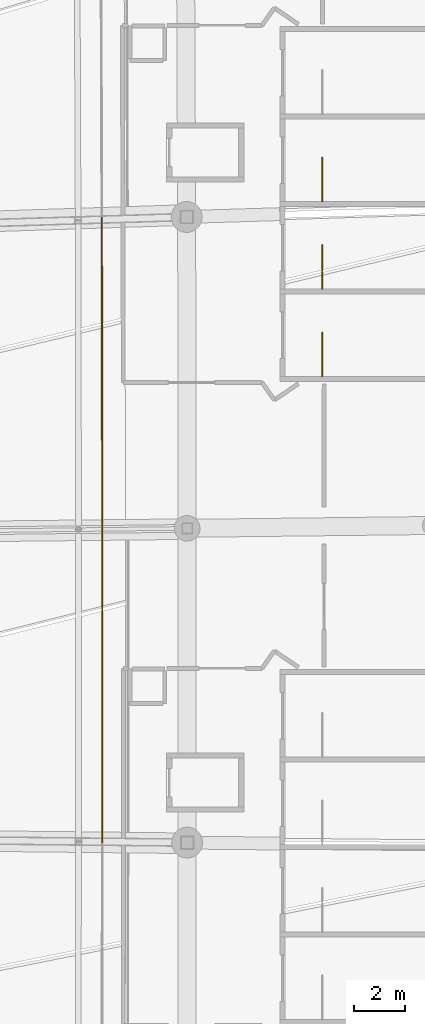
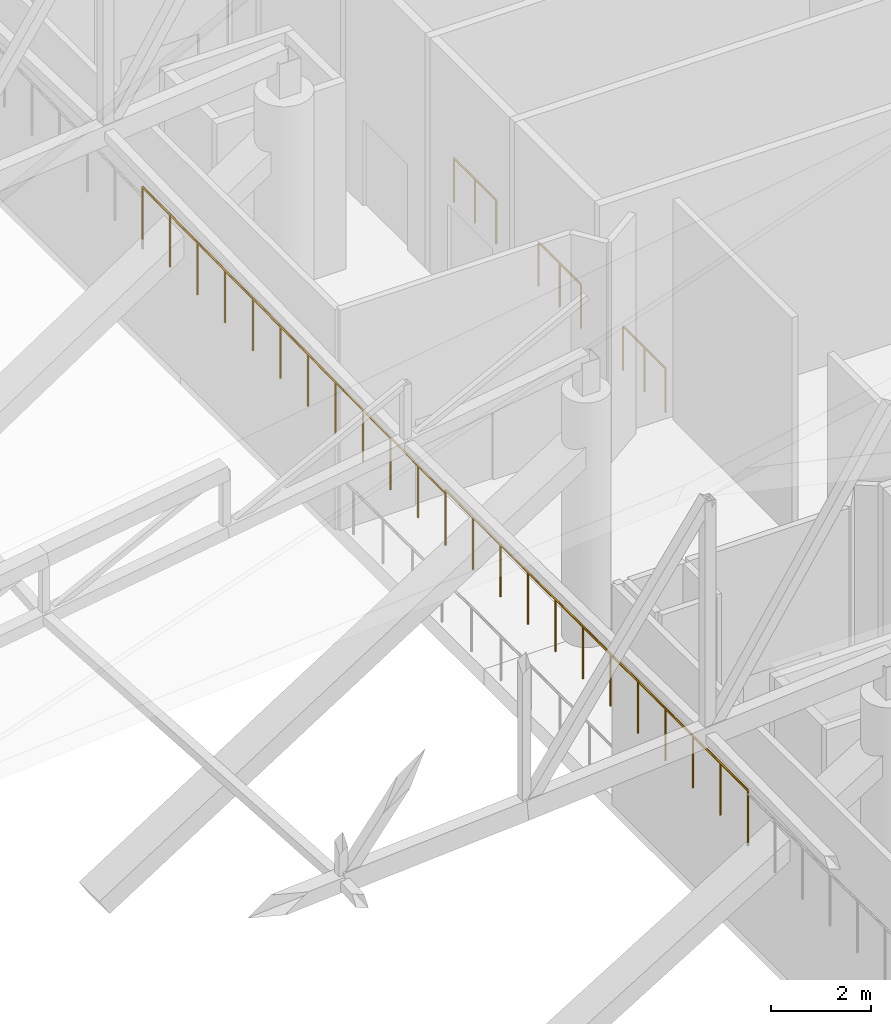
# One storey, part 342 of 344: 5 railings.
"""IFC4 building model written with IfcOpenShell, lengths in metres."""

from ifc_helpers import new_model, si_unit, direction, frame, origin, origin_2d, place, context, subcontext, project, spatial, circle, extrude, material, type_object, element, save


model = new_model("IFC4")

# Units and contexts
model_context = context("Model", 3, precision=1e-05, world=origin(), true_north=direction((0.0, 1.0)))
body_context = subcontext(model_context, "Body", "Model", "MODEL_VIEW")
ifc_project = project(units=[si_unit("LENGTHUNIT", "METRE"), si_unit("AREAUNIT", "SQUARE_METRE"), si_unit("VOLUMEUNIT", "CUBIC_METRE"), si_unit("PLANEANGLEUNIT", "RADIAN"), si_unit("MASSUNIT", "GRAM", prefix="KILO")], contexts=[model_context])

# Site, building, storey
site_placement = place(None, origin())
site = spatial("IfcSite", under=ifc_project, at=site_placement, CompositionType="ELEMENT")
building_placement = place(site_placement, origin())
building = spatial("IfcBuilding", under=site, at=building_placement, Name="Meseta Stadium", CompositionType="ELEMENT")
storey_placement = place(building_placement, frame((0.0, 0.0, 24.0)))
storey = spatial("IfcBuildingStorey", under=building, at=storey_placement, Name="L04", CompositionType="ELEMENT", Elevation=24.0)

# Railings
ifc_material_1 = material(Name="Steel S355", Category="steel")
railing_type_1 = type_object("IfcRailingType", Name="Stair guard 1100", PredefinedType="GUARDRAIL", material=ifc_material_1)
for number, where, name in (
    (1, (90.25, 12.050048828125, 0.0), "ST13 L04 well guard 1"),
    (2, (90.25, 15.449951171875, 0.0), "ST14 L04 well guard 1"),
    (3, (90.25, 18.85009765625, 0.0), "ST15 L04 well guard 1"),
):
    element("IfcRailing", number, at=place(storey_placement, frame(where)), inside=storey, type_object=railing_type_1, Name=name, PredefinedType="GUARDRAIL", context=body_context, shape_type="SweptSolid", body=[
        extrude(circle(Radius=0.02392578125, at=origin_2d()), frame((0.0, 0.0, 1.076171875), z_axis=(0.0, 1.0, 0.0), x_axis=(-1.0, 0.0, 0.0)), (0.0, 0.0, 1.0), 1.699951171875),
        extrude(circle(Radius=0.02099609375, at=origin_2d()), origin(), (0.0, 0.0, 1.0), 1.052001953125),
        extrude(circle(Radius=0.02099609375, at=origin_2d()), frame((0.0, 0.85009765625, 0.0)), (0.0, 0.0, 1.0), 1.052001953125),
        extrude(circle(Radius=0.02099609375, at=origin_2d()), frame((0.0, 1.699951171875, 0.0)), (0.0, 0.0, 1.0), 1.052001953125),
    ])
ifc_material_2 = material(Name="Steel S355", Category="steel")
railing_type_2 = type_object("IfcRailingType", Name="Stand rear guard 1300", PredefinedType="GUARDRAIL", material=ifc_material_2)
railing_1_placement = place(storey_placement, frame((81.697509765625, -6.0712890625, 3.4365234375)))
element("IfcRailing", 4, at=railing_1_placement, inside=storey, type_object=railing_type_2, Name="Stand upper tier rear guard bay 05", PredefinedType="GUARDRAIL", context=body_context, shape_type="SweptSolid", body=[
    extrude(circle(Radius=0.02490234375, at=origin_2d()), frame((0.0, 0.0, 1.27490234375), z_axis=(0.0, 1.0, 0.0), x_axis=(-1.0, 0.0, 0.0)), (0.0, 0.0, 1.0), 12.142578125),
    extrude(circle(Radius=0.02001953125, at=origin_2d()), origin(), (0.0, 0.0, 1.0), 1.25),
    extrude(circle(Radius=0.02001953125, at=origin_2d()), frame((0.0, 1.103759765625, 0.0)), (0.0, 0.0, 1.0), 1.25),
    extrude(circle(Radius=0.02001953125, at=origin_2d()), frame((0.0, 2.207763671875, 0.0)), (0.0, 0.0, 1.0), 1.25),
    extrude(circle(Radius=0.02001953125, at=origin_2d()), frame((0.0, 3.3115234375, 0.0)), (0.0, 0.0, 1.0), 1.25),
    extrude(circle(Radius=0.02001953125, at=origin_2d()), frame((0.0, 4.41552734375, 0.0)), (0.0, 0.0, 1.0), 1.25),
    extrude(circle(Radius=0.02001953125, at=origin_2d()), frame((0.0, 5.519287109375, 0.0)), (0.0, 0.0, 1.0), 1.25),
    extrude(circle(Radius=0.02001953125, at=origin_2d()), frame((0.0, 6.623291015625, 0.0)), (0.0, 0.0, 1.0), 1.25),
    extrude(circle(Radius=0.02001953125, at=origin_2d()), frame((0.0, 7.72705078125, 0.0)), (0.0, 0.0, 1.0), 1.25),
    extrude(circle(Radius=0.02001953125, at=origin_2d()), frame((0.0, 8.8310546875, 0.0)), (0.0, 0.0, 1.0), 1.25),
    extrude(circle(Radius=0.02001953125, at=origin_2d()), frame((0.0, 9.934814453125, 0.0)), (0.0, 0.0, 1.0), 1.25),
    extrude(circle(Radius=0.02001953125, at=origin_2d()), frame((0.0, 11.038818359375, 0.0)), (0.0, 0.0, 1.0), 1.25),
    extrude(circle(Radius=0.02001953125, at=origin_2d()), frame((0.0, 12.142578125, 0.0)), (0.0, 0.0, 1.0), 1.25),
])
railing_2_placement = place(storey_placement, frame((81.697509765625, 6.0712890625, 3.359375)))
element("IfcRailing", 5, at=railing_2_placement, inside=storey, type_object=railing_type_2, Name="Stand upper tier rear guard bay 06", PredefinedType="GUARDRAIL", context=body_context, shape_type="SweptSolid", body=[
    extrude(circle(Radius=0.02490234375, at=origin_2d()), frame((0.0, 0.0, 1.27490234375), z_axis=(-0.00160845792, 0.999917971461, 0.012706817565), x_axis=(-0.999998706222, -0.001608587789, 0.0)), (0.0, 0.0, 1.0), 12.142822265625),
    extrude(circle(Radius=0.02001953125, at=origin_2d()), origin(), (0.0, 0.0, 1.0), 1.25),
    extrude(circle(Radius=0.02001953125, at=origin_2d()), frame((-0.001708984375, 1.103759765625, 0.013916015625)), (0.0, 0.0, 1.0), 1.25),
    extrude(circle(Radius=0.02001953125, at=origin_2d()), frame((-0.003662109375, 2.20751953125, 0.028076171875)), (0.0, 0.0, 1.0), 1.25),
    extrude(circle(Radius=0.02001953125, at=origin_2d()), frame((-0.00537109375, 3.3115234375, 0.0419921875)), (0.0, 0.0, 1.0), 1.25),
    extrude(circle(Radius=0.02001953125, at=origin_2d()), frame((-0.007080078125, 4.415283203125, 0.05615234375)), (0.0, 0.0, 1.0), 1.25),
    extrude(circle(Radius=0.02001953125, at=origin_2d()), frame((-0.0087890625, 5.51904296875, 0.070068359375)), (0.0, 0.0, 1.0), 1.25),
    extrude(circle(Radius=0.02001953125, at=origin_2d()), frame((-0.0107421875, 6.622802734375, 0.084228515625)), (0.0, 0.0, 1.0), 1.25),
    extrude(circle(Radius=0.02001953125, at=origin_2d()), frame((-0.012451171875, 7.7265625, 0.09814453125)), (0.0, 0.0, 1.0), 1.25),
    extrude(circle(Radius=0.02001953125, at=origin_2d()), frame((-0.01416015625, 8.830322265625, 0.1123046875)), (0.0, 0.0, 1.0), 1.25),
    extrude(circle(Radius=0.02001953125, at=origin_2d()), frame((-0.015869140625, 9.934326171875, 0.126220703125)), (0.0, 0.0, 1.0), 1.25),
    extrude(circle(Radius=0.02001953125, at=origin_2d()), frame((-0.017822265625, 11.0380859375, 0.140380859375)), (0.0, 0.0, 1.0), 1.25),
    extrude(circle(Radius=0.02001953125, at=origin_2d()), frame((-0.01953125, 12.141845703125, 0.154296875)), (0.0, 0.0, 1.0), 1.25),
])

save(model, "model.ifc")
